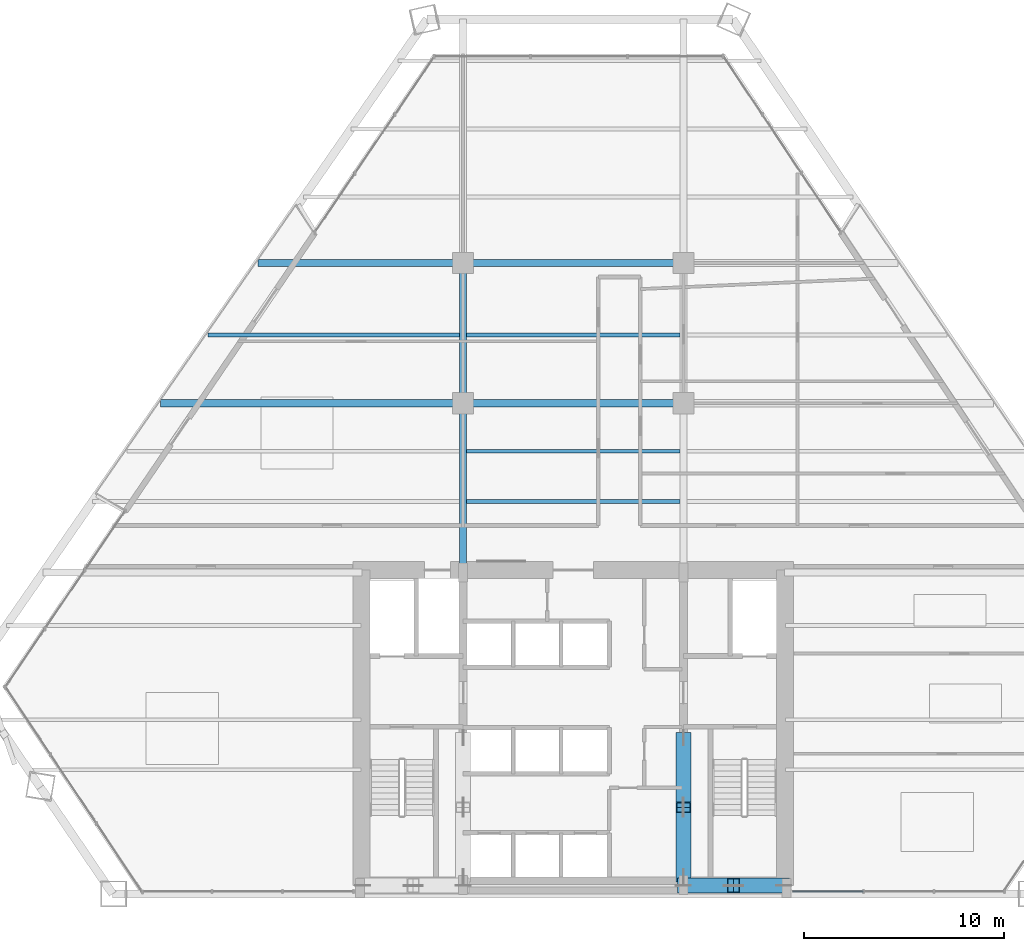
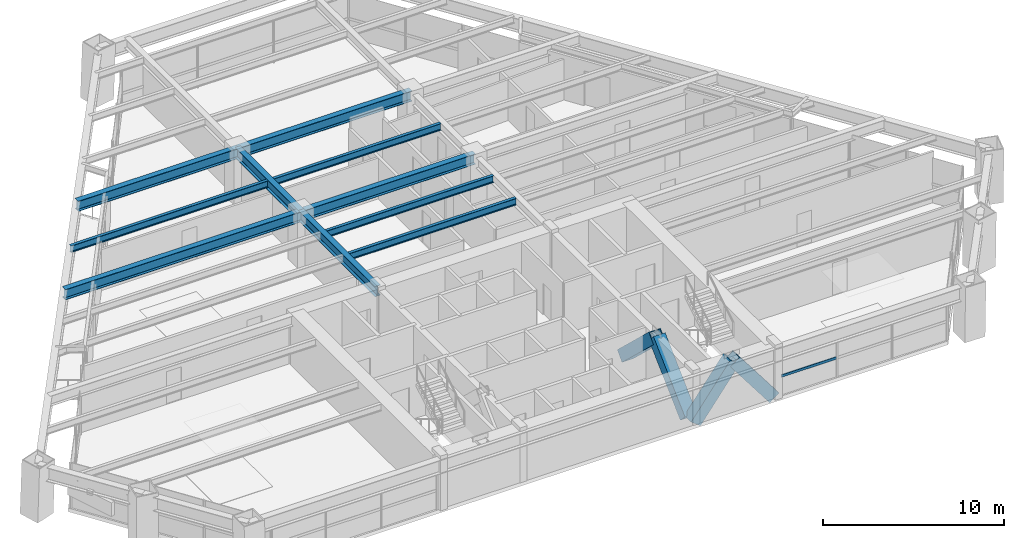
# One storey, part 5 of 14: 10 beams, 5 members, 1 element without a shape of its own.
"""IFC4 building model written with IfcOpenShell, lengths in metres."""

from ifc_helpers import new_model, si_unit, direction, frame, origin, origin_2d, place, context, subcontext, project, spatial, rectangle, hollow_rectangle, i_section, extrude, source, transform, mapped, material, material_profile, profile_set, type_object, type_shapes, element, aggregate, save


model = new_model("IFC4")

# Units and contexts
model_context = context("Model", 3, precision=1e-05, world=origin(), true_north=direction((0.0, 1.0)))
body_context = subcontext(model_context, "Body", "Model", "MODEL_VIEW")
ifc_project = project(units=[si_unit("LENGTHUNIT", "METRE"), si_unit("AREAUNIT", "SQUARE_METRE"), si_unit("VOLUMEUNIT", "CUBIC_METRE"), si_unit("PLANEANGLEUNIT", "RADIAN"), si_unit("MASSUNIT", "GRAM", prefix="KILO")], contexts=[model_context])

# Site, building, storey
site_placement = place(None, origin())
site = spatial("IfcSite", under=ifc_project, at=site_placement, CompositionType="ELEMENT")
building_placement = place(site_placement, origin())
building = spatial("IfcBuilding", under=site, at=building_placement, Name="Varnakhor Terracotta Tower", CompositionType="ELEMENT")
storey_placement = place(building_placement, frame((0.0, 0.0, 53.39990234375)))
storey = spatial("IfcBuildingStorey", under=building, at=storey_placement, Name="L12", CompositionType="ELEMENT", Elevation=53.39990234375)

# Beams
ifc_material_1 = material(Name="Steel S355", Category="steel")
ifc_material_profile_1 = material_profile(ifc_material_1, i_section(OverallWidth=0.35498046875, OverallDepth=0.695068359375, WebThickness=0.014892578125, FlangeThickness=0.02490234375, FilletRadius=0.01806640625, at=origin_2d()), Name="W27X146")
ifc_profile_set_1 = profile_set([ifc_material_profile_1], Name="Steel S355")
beam_type_1 = type_object("IfcBeamType", Name="BM-W27X146", PredefinedType="BEAM", material=ifc_profile_set_1)
shared_shape_1 = source(origin(), body_context, "Body", "SweptSolid", [
    extrude(i_section(OverallWidth=0.35498046875, OverallDepth=0.695068359375, WebThickness=0.014892578125, FlangeThickness=0.02490234375, FilletRadius=0.01806640625, at=origin_2d()), origin(), (0.0, 0.0, 1.0), 8.449951171875),
])
type_shapes(beam_type_1, [shared_shape_1])
beam_1_placement = place(storey_placement, frame((-5.5, 16.050048828125, 3.1025390625), z_axis=(0.0, 1.0, 0.0), x_axis=(-1.0, 0.0, 0.0)))
element("IfcBeam", 1, at=beam_1_placement, inside=storey, type_object=beam_type_1, Name="L12 Primary Girder NS1-W", PredefinedType="BEAM", context=body_context, shape_type="MappedRepresentation", body=[
    mapped(shared_shape_1, transform((0.0, 0.0, 0.0), scale=1.0)),
])
shared_shape_2 = source(origin(), body_context, "Body", "SweptSolid", [
    extrude(i_section(OverallWidth=0.35498046875, OverallDepth=0.695068359375, WebThickness=0.014892578125, FlangeThickness=0.02490234375, FilletRadius=0.01806640625, at=origin_2d()), origin(), (0.0, 0.0, 1.0), 7.0),
])
beam_2_placement = place(storey_placement, frame((-5.5, 24.5, 3.1025390625), z_axis=(0.0, 1.0, 0.0), x_axis=(-1.0, 0.0, 0.0)))
element("IfcBeam", 2, at=beam_2_placement, inside=storey, type_object=beam_type_1, Name="L12 Primary Girder NS2-W", PredefinedType="BEAM", context=body_context, shape_type="MappedRepresentation", body=[
    mapped(shared_shape_2, transform((0.0, 0.0, 0.0), scale=1.0)),
])
shared_shape_3 = source(origin(), body_context, "Body", "SweptSolid", [
    extrude(i_section(OverallWidth=0.35498046875, OverallDepth=0.695068359375, WebThickness=0.014892578125, FlangeThickness=0.02490234375, FilletRadius=0.01806640625, at=origin_2d()), origin(), (0.0, 0.0, 1.0), 11.0),
])
for number, where, z_axis, x_axis, name in (
    (3, (-5.5, 24.5, 3.1025390625), (1.0, 0.0, 0.0), (0.0, 1.0, 0.0), "L12 Primary Girder EW2-2"),
    (4, (-5.5, 31.5, 3.1025390625), (1.0, 0.0, 0.0), (0.0, 1.0, 0.0), "L12 Primary Girder EW3-2"),
):
    element("IfcBeam", number, at=place(storey_placement, frame(where, z_axis=z_axis, x_axis=x_axis)), inside=storey, type_object=beam_type_1, Name=name, PredefinedType="BEAM", context=body_context, shape_type="MappedRepresentation", body=[
        mapped(shared_shape_3, transform((0.0, 0.0, 0.0), scale=1.0)),
    ])
ifc_material_profile_2 = material_profile(ifc_material_1, i_section(OverallWidth=0.19189453125, OverallDepth=0.462890625, WebThickness=0.010498046875, FlangeThickness=0.017578125, FilletRadius=0.01806640625, at=origin_2d()), Name="W18X60")
ifc_profile_set_2 = profile_set([ifc_material_profile_2], Name="Steel S355")
beam_type_2 = type_object("IfcBeamType", Name="JST-W18X60", PredefinedType="JOIST", material=ifc_profile_set_2)
shared_shape_4 = source(origin(), body_context, "Body", "SweptSolid", [
    extrude(i_section(OverallWidth=0.19189453125, OverallDepth=0.462890625, WebThickness=0.010498046875, FlangeThickness=0.017578125, FilletRadius=0.01806640625, at=origin_2d()), origin(), (0.0, 0.0, 1.0), 10.65283203125),
])
for number, where, z_axis, x_axis, name in (
    (5, (-5.326416015625, 19.60009765625, 3.218505859375), (1.0, 0.0, 0.0), (0.0, 1.0, 0.0), "L12 Composite Floor Joist 4-2"),
    (6, (-5.326416015625, 22.10009765625, 3.218505859375), (1.0, 0.0, 0.0), (0.0, 1.0, 0.0), "L12 Composite Floor Joist 5-2"),
    (7, (-5.326416015625, 27.89990234375, 3.218505859375), (1.0, 0.0, 0.0), (0.0, 1.0, 0.0), "L12 Composite Floor Joist 6-2"),
):
    element("IfcBeam", number, at=place(storey_placement, frame(where, z_axis=z_axis, x_axis=x_axis)), inside=storey, type_object=beam_type_2, Name=name, PredefinedType="JOIST", context=body_context, shape_type="MappedRepresentation", body=[
        mapped(shared_shape_4, transform((0.0, 0.0, 0.0), scale=1.0)),
    ])

# Members
ifc_material_2 = material(Name="Steel S460", Category="steel")
ifc_material_profile_3 = material_profile(ifc_material_2, hollow_rectangle(XDim=0.75, YDim=0.75, WallThickness=0.044921875, at=origin_2d()), Name="HSS750X750X45")
ifc_profile_set_3 = profile_set([ifc_material_profile_3], Name="Steel S460")
member_type_1 = type_object("IfcMemberType", Name="MBR-MEGA-750", PredefinedType="BRACE", material=ifc_profile_set_3)
shared_shape_5 = source(origin(), body_context, "Body", "SweptSolid", [
    extrude(hollow_rectangle(XDim=0.75, YDim=0.75, WallThickness=0.044921875, at=origin_2d()), origin(), (0.0, 0.0, 1.0), 4.14013671875),
])
type_shapes(member_type_1, [shared_shape_5])
for number, where, z_axis, x_axis, name in (
    (8, (5.5, 0.419921875, 0.0), (0.603852011179, 0.0, 0.797096448741), (0.0, 1.0, 0.0), "L12 Core Coupled Brace CSEA"),
    (9, (10.5, 0.419921875, 0.0), (-0.603852011179, 0.0, 0.797096448741), (0.0, -1.0, 0.0), "L12 Core Coupled Brace CSEB"),
):
    element("IfcMember", number, at=place(storey_placement, frame(where, z_axis=z_axis, x_axis=x_axis)), inside=storey, type_object=member_type_1, Name=name, PredefinedType="BRACE", context=body_context, shape_type="MappedRepresentation", body=[
        mapped(shared_shape_5, transform((0.0, 0.0, 0.0), scale=1.0)),
    ])
shared_shape_6 = source(origin(), body_context, "Body", "SweptSolid", [
    extrude(hollow_rectangle(XDim=0.75, YDim=0.75, WallThickness=0.044921875, at=origin_2d()), origin(), (0.0, 0.0, 1.0), 4.792236328125),
])
for number, where, z_axis, x_axis, name in (
    (10, (5.5, 0.85009765625, 0.0), (0.0, 0.725110085518, 0.688632967466), (-1.0, 0.0, 0.0), "L12 Core Coupled Brace CWEA"),
    (11, (5.5, 7.800048828125, 0.0), (0.0, -0.72513424341, 0.688607529028), (1.0, 0.0, 0.0), "L12 Core Coupled Brace CWEB"),
):
    element("IfcMember", number, at=place(storey_placement, frame(where, z_axis=z_axis, x_axis=x_axis)), inside=storey, type_object=member_type_1, Name=name, PredefinedType="BRACE", context=body_context, shape_type="MappedRepresentation", body=[
        mapped(shared_shape_6, transform((0.0, 0.0, 0.0), scale=1.0)),
    ])

# Beams
shared_shape_7 = source(origin(), body_context, "Body", "SweptSolid", [
    extrude(i_section(OverallWidth=0.35498046875, OverallDepth=0.695068359375, WebThickness=0.014892578125, FlangeThickness=0.02490234375, FilletRadius=0.01806640625, at=origin_2d()), origin(), (0.0, 0.0, 1.0), 15.10498046875),
])
beam_3_placement = place(storey_placement, frame((-20.60498046875, 24.5, 3.1025390625), z_axis=(1.0, 0.0, 0.0), x_axis=(0.0, 1.0, 0.0)))
element("IfcBeam", 12, at=beam_3_placement, inside=storey, type_object=beam_type_1, Name="L12 Primary Girder EW2-1", PredefinedType="BEAM", context=body_context, shape_type="MappedRepresentation", body=[
    mapped(shared_shape_7, transform((0.0, 0.0, 0.0), scale=1.0)),
])
shared_shape_8 = source(origin(), body_context, "Body", "SweptSolid", [
    extrude(i_section(OverallWidth=0.35498046875, OverallDepth=0.695068359375, WebThickness=0.014892578125, FlangeThickness=0.02490234375, FilletRadius=0.01806640625, at=origin_2d()), origin(), (0.0, 0.0, 1.0), 10.247802734375),
])
beam_4_placement = place(storey_placement, frame((-15.747802734375, 31.5, 3.1025390625), z_axis=(1.0, 0.0, 0.0), x_axis=(0.0, 1.0, 0.0)))
element("IfcBeam", 13, at=beam_4_placement, inside=storey, type_object=beam_type_1, Name="L12 Primary Girder EW3-1", PredefinedType="BEAM", context=body_context, shape_type="MappedRepresentation", body=[
    mapped(shared_shape_8, transform((0.0, 0.0, 0.0), scale=1.0)),
])
shared_shape_9 = source(origin(), body_context, "Body", "SweptSolid", [
    extrude(i_section(OverallWidth=0.19189453125, OverallDepth=0.462890625, WebThickness=0.010498046875, FlangeThickness=0.017578125, FilletRadius=0.01806640625, at=origin_2d()), origin(), (0.0, 0.0, 1.0), 12.572265625),
])
beam_5_placement = place(storey_placement, frame((-18.245849609375, 27.89990234375, 3.218505859375), z_axis=(1.0, 0.0, 0.0), x_axis=(0.0, 1.0, 0.0)))
element("IfcBeam", 14, at=beam_5_placement, inside=storey, type_object=beam_type_2, Name="L12 Composite Floor Joist 6-1", PredefinedType="JOIST", context=body_context, shape_type="MappedRepresentation", body=[
    mapped(shared_shape_9, transform((0.0, 0.0, 0.0), scale=1.0)),
])

# Curtain wall, member
ifc_material_3 = material(Name="Anodised Aluminium Curtain Wall System", Category="aluminium")
curtain_wall_type = type_object("IfcCurtainWallType", Name="CW-SYS-LOW-OFFICE", PredefinedType="NOTDEFINED", material=ifc_material_3)
curtain_wall_placement = place(storey_placement, origin())
curtain_wall = element("IfcCurtainWall", 15, at=curtain_wall_placement, inside=storey, type_object=curtain_wall_type, Name="L12 South Wing Curtain Wall SSE", PredefinedType="NOTDEFINED")
ifc_material_4 = material(Name="Anodised Aluminium 6063-T6", Category="aluminium")
ifc_material_profile_4 = material_profile(ifc_material_4, rectangle(XDim=0.074951171875, YDim=0.1650390625, at=origin_2d()), Name="ALU TRANSOM 75x165")
ifc_profile_set_4 = profile_set([ifc_material_profile_4], Name="Anodised Aluminium 6063-T6")
member_type_2 = type_object("IfcMemberType", Name="CWT-02", PredefinedType="USERDEFINED", material=ifc_profile_set_4)
shared_shape_10 = source(origin(), body_context, "Body", "SweptSolid", [
    extrude(rectangle(XDim=0.074951171875, YDim=0.1650390625, at=origin_2d()), origin(), (0.0, 0.0, 1.0), 3.517578125),
])
member_placement = place(storey_placement, frame((14.487548828125, 0.1201171875, 1.272705078125), z_axis=(-1.0, 0.0, 0.0), x_axis=(0.0, -1.0, 0.0)))
member = element("IfcMember", 16, at=member_placement, type_object=member_type_2, Name="L12 South Wing Curtain Wall SSE Transom 3", ObjectType="TRANSOM", PredefinedType="USERDEFINED", context=body_context, shape_type="MappedRepresentation", body=[
    mapped(shared_shape_10, transform((0.0, 0.0, 0.0), scale=1.0)),
])
aggregate(curtain_wall, [member])

save(model, "model.ifc")
